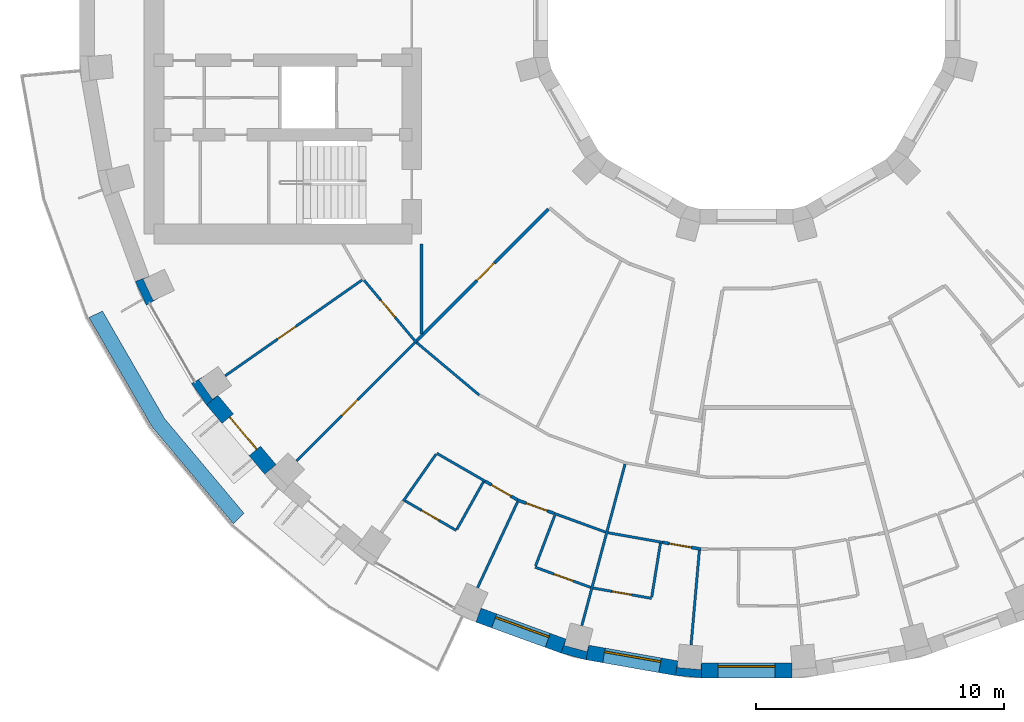
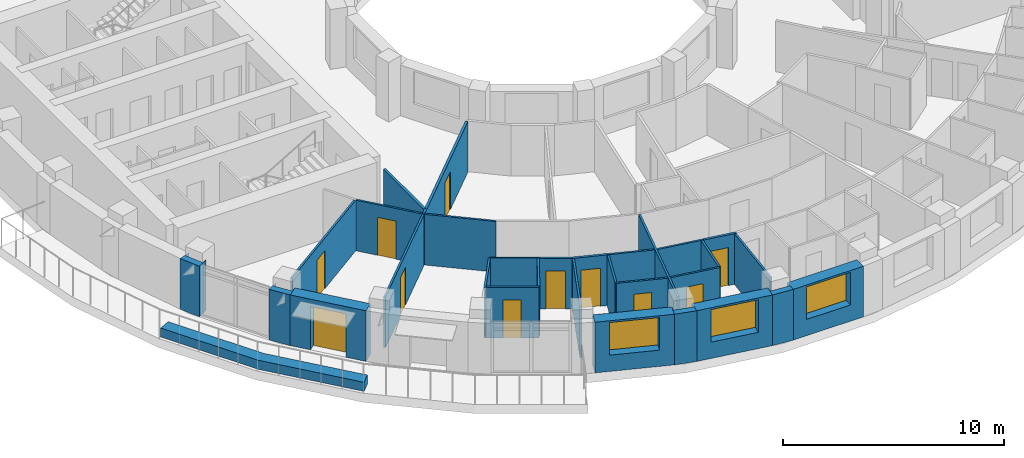
# One storey, part 4 of 16: 31 walls, 11 doors, 3 windows, 14 openings.
"""IFC4 building model written with IfcOpenShell, lengths in metres."""

from ifc_helpers import new_model, si_unit, direction, frame, frame_2d, origin, place, context, subcontext, project, spatial, polyline, rectangle, outline, extrude, material, layer, layer_set, type_object, element, fill, save


model = new_model("IFC4")

# Units and contexts
model_context = context("Model", 3, precision=1e-05, world=origin(), true_north=direction((0.0, 1.0)))
body_context = subcontext(model_context, "Body", "Model", "MODEL_VIEW")
ifc_project = project(units=[si_unit("LENGTHUNIT", "METRE"), si_unit("AREAUNIT", "SQUARE_METRE"), si_unit("VOLUMEUNIT", "CUBIC_METRE"), si_unit("PLANEANGLEUNIT", "RADIAN"), si_unit("MASSUNIT", "GRAM", prefix="KILO")], contexts=[model_context])

# Site, building, storey
site_placement = place(None, origin())
site = spatial("IfcSite", under=ifc_project, at=site_placement, CompositionType="ELEMENT")
building_placement = place(site_placement, origin())
building = spatial("IfcBuilding", under=site, at=building_placement, Name="Saqina Gate Tower", CompositionType="ELEMENT")
storey_placement = place(building_placement, frame((0.0, 0.0, 121.60009765625)))
storey = spatial("IfcBuildingStorey", under=building, at=storey_placement, Name="L34", CompositionType="ELEMENT", Elevation=121.60009765625)

# Walls
ifc_material_1 = material(Name="Brick masonry (buff)", Category="masonry")
wall_type_1 = type_object("IfcWallType", Name="BRICK PIER COPING BUFF", PredefinedType="SOLIDWALL", material=ifc_material_1)
wall_1_placement = place(storey_placement, origin())
element("IfcWall", 1, at=wall_1_placement, inside=storey, type_object=wall_type_1, Name="Pier cap L34 column 21", PredefinedType="SOLIDWALL", context=body_context, shape_type="SweptSolid", body=[
    extrude(outline(polyline([(-24.6513671875, -10.913330078125), (-24.205810546875, -11.869140625), (-23.68603515625, -11.569091796875), (-23.9296875, -11.6826171875), (-24.331298828125, -10.82177734375), (-24.08740234375, -10.7080078125), (-24.6513671875, -10.913330078125)])), origin(), (0.0, 0.0, 1.0), 2.7998046875),
])
wall_2_placement = place(storey_placement, origin())
element("IfcWall", 2, at=wall_2_placement, inside=storey, type_object=wall_type_1, Name="Pier cap L34 column 22", PredefinedType="SOLIDWALL", context=body_context, shape_type="SweptSolid", body=[
    extrude(outline(polyline([(-21.77685546875, -15.89208984375), (-21.317138671875, -15.50634765625), (-21.53759765625, -15.66064453125), (-22.08251953125, -14.88232421875), (-21.862060546875, -14.728271484375), (-22.3818359375, -15.0283203125), (-21.77685546875, -15.89208984375)])), origin(), (0.0, 0.0, 1.0), 2.7998046875),
])
wall_3_placement = place(storey_placement, origin())
element("IfcWall", 3, at=wall_3_placement, inside=storey, type_object=wall_type_1, Name="Pier cap L34 column 26", PredefinedType="SOLIDWALL", context=body_context, shape_type="SweptSolid", body=[
    extrude(outline(polyline([(-7.485595703125, -25.89892578125), (-6.466796875, -26.171875), (-6.36279296875, -25.5810546875), (-6.43212890625, -25.8408203125), (-7.349853515625, -25.5947265625), (-7.2802734375, -25.335205078125), (-7.485595703125, -25.89892578125)])), origin(), (0.0, 0.0, 1.0), 2.7998046875),
])
wall_4_placement = place(storey_placement, origin())
element("IfcWall", 4, at=wall_4_placement, inside=storey, type_object=wall_type_1, Name="Pier cap L34 column 27", PredefinedType="SOLIDWALL", context=body_context, shape_type="SweptSolid", body=[
    extrude(outline(polyline([(-2.87451171875, -26.805419921875), (-1.823974609375, -26.897216796875), (-1.823974609375, -26.29736328125), (-1.847412109375, -26.565185546875), (-2.793701171875, -26.482421875), (-2.770263671875, -26.214599609375), (-2.87451171875, -26.805419921875)])), origin(), (0.0, 0.0, 1.0), 2.7998046875),
])

# Wall, opening, door
ifc_material_2 = material(Name="Brick masonry (buff)", Category="masonry")
ifc_layer_1 = layer(ifc_material_2, 0.60009765625)
ifc_layer_set_1 = layer_set([ifc_layer_1], Name="FW-BRICK-BUFF")
wall_type_2 = type_object("IfcWallType", Name="FW-BRICK-BUFF", PredefinedType="SOLIDWALL", material=ifc_layer_set_1)
wall_5_placement = place(storey_placement, frame((-21.547119140625, -15.69921875, 0.0), z_axis=(0.0, 0.0, 1.0), x_axis=(0.642774476932, -0.766055462616, 0.0)))
wall_5 = element("IfcWall", 5, at=wall_5_placement, inside=storey, type_object=wall_type_2, Name="Facade wall L34 facet 22", PredefinedType="SOLIDWALL", context=body_context, shape_type="SweptSolid", body=[
    extrude(rectangle(XDim=3.647705078125, YDim=0.60009765625, at=frame_2d((1.82373046875, 0.0))), origin(), (0.0, 0.0, 1.0), 2.7998046875),
])
opening_1_placement = place(wall_5_placement, frame((0.973876953125, 0.0, 0.0)))
opening_1 = element("IfcOpeningElement", 6, at=opening_1_placement, cuts=wall_5, Name="Opening G10-D80", PredefinedType="OPENING", context=body_context, shape_type="SweptSolid", body=[
    extrude(rectangle(XDim=1.699951171875, YDim=2.39990234375, at=frame_2d((0.85009765625, 1.199951171875))), frame((0.0, 0.31201171875, 0.0), z_axis=(0.0, -1.0, 0.0), x_axis=(1.0, 0.0, 0.0)), (0.0, 0.0, 1.0), 0.6240234375),
])
ifc_material_3 = material(Name="Aluminium glazing", Category="aluminium")
door_type_1 = type_object("IfcDoorType", Name="GD-B", OperationType="DOUBLE_DOOR_SINGLE_SWING", PredefinedType="DOOR", material=ifc_material_3)
door_1_placement = place(opening_1_placement, frame((1.699951171875, 0.0, 0.0), z_axis=(0.0, 0.0, 1.0), x_axis=(-1.0, 0.0, 0.0)))
door_1 = element("IfcDoor", 7, at=door_1_placement, inside=storey, type_object=door_type_1, Name="Terrace door L34 facet 22", OperationType="DOUBLE_DOOR_SINGLE_SWING", OverallHeight=2.39990234375, OverallWidth=1.699951171875, PredefinedType="DOOR", context=body_context, shape_type="SweptSolid", body=[
    extrude(rectangle(XDim=1.699951171875, YDim=2.39990234375, at=frame_2d((0.85009765625, 1.199951171875))), frame((0.0, -0.0751953125, 0.0), z_axis=(0.0, -1.0, 0.0), x_axis=(1.0, 0.0, 0.0)), (0.0, 0.0, 1.0), 0.050048828125),
])
fill(opening_1, door_1)

# Wall, opening, window
wall_6_placement = place(storey_placement, frame((-10.810791015625, -24.369384765625, 0.0), z_axis=(0.0, 0.0, 1.0), x_axis=(0.939703505393, -0.341990236633, 0.0)))
wall_6 = element("IfcWall", 8, at=wall_6_placement, inside=storey, type_object=wall_type_2, Name="Facade wall L34 facet 25", PredefinedType="SOLIDWALL", context=body_context, shape_type="SweptSolid", body=[
    extrude(rectangle(XDim=3.64794921875, YDim=0.60009765625, at=frame_2d((1.823974609375, 0.0))), origin(), (0.0, 0.0, 1.0), 2.7998046875),
])
opening_2_placement = place(wall_6_placement, frame((0.673828125, 0.0, 0.89990234375)))
opening_2 = element("IfcOpeningElement", 9, at=opening_2_placement, cuts=wall_6, Name="Opening G10-W14", PredefinedType="OPENING", context=body_context, shape_type="SweptSolid", body=[
    extrude(rectangle(XDim=2.300048828125, YDim=1.800048828125, at=frame_2d((1.14990234375, 0.89990234375))), frame((0.0, 0.31201171875, 0.0), z_axis=(0.0, -1.0, 0.0), x_axis=(1.0, 0.0, 0.0)), (0.0, 0.0, 1.0), 0.6240234375),
])
ifc_material_4 = material(Name="Aluminium glazing", Category="aluminium")
window_type = type_object("IfcWindowType", Name="WN-B", PartitioningType="SINGLE_PANEL", PredefinedType="WINDOW", material=ifc_material_4)
window_1_placement = place(opening_2_placement, origin())
window_1 = element("IfcWindow", 10, at=window_1_placement, inside=storey, type_object=window_type, Name="Window L34 facet 25", OverallHeight=1.800048828125, OverallWidth=2.300048828125, PartitioningType="SINGLE_PANEL", PredefinedType="WINDOW", context=body_context, shape_type="SweptSolid", body=[
    extrude(rectangle(XDim=2.300048828125, YDim=1.800048828125, at=frame_2d((1.14990234375, 0.89990234375))), frame((0.0, 0.179931640625, 0.0), z_axis=(0.0, -1.0, 0.0), x_axis=(1.0, 0.0, 0.0)), (0.0, 0.0, 1.0), 0.06005859375),
])
fill(opening_2, window_1)

wall_7_placement = place(storey_placement, frame((-6.414794921875, -25.87646484375, 0.0), z_axis=(0.0, 0.0, 1.0), x_axis=(0.984803764455, -0.173670796382, 0.0)))
wall_7 = element("IfcWall", 11, at=wall_7_placement, inside=storey, type_object=wall_type_2, Name="Facade wall L34 facet 26", PredefinedType="SOLIDWALL", context=body_context, shape_type="SweptSolid", body=[
    extrude(rectangle(XDim=3.64794921875, YDim=0.60009765625, at=frame_2d((1.823974609375, 0.0))), origin(), (0.0, 0.0, 1.0), 2.7998046875),
])
opening_3_placement = place(wall_7_placement, frame((0.673828125, 0.0, 0.89990234375)))
opening_3 = element("IfcOpeningElement", 12, at=opening_3_placement, cuts=wall_7, Name="Opening G10-W15", PredefinedType="OPENING", context=body_context, shape_type="SweptSolid", body=[
    extrude(rectangle(XDim=2.300048828125, YDim=1.800048828125, at=frame_2d((1.14990234375, 0.89990234375))), frame((0.0, 0.31201171875, 0.0), z_axis=(0.0, -1.0, 0.0), x_axis=(1.0, 0.0, 0.0)), (0.0, 0.0, 1.0), 0.6240234375),
])
window_2_placement = place(opening_3_placement, origin())
window_2 = element("IfcWindow", 13, at=window_2_placement, inside=storey, type_object=window_type, Name="Window L34 facet 26", OverallHeight=1.800048828125, OverallWidth=2.300048828125, PartitioningType="SINGLE_PANEL", PredefinedType="WINDOW", context=body_context, shape_type="SweptSolid", body=[
    extrude(rectangle(XDim=2.300048828125, YDim=1.800048828125, at=frame_2d((1.14990234375, 0.89990234375))), frame((0.0, 0.179931640625, 0.0), z_axis=(0.0, -1.0, 0.0), x_axis=(1.0, 0.0, 0.0)), (0.0, 0.0, 1.0), 0.06005859375),
])
fill(opening_3, window_2)

wall_8_placement = place(storey_placement, frame((-1.823974609375, -26.59716796875, 0.0), z_axis=(0.0, 0.0, 1.0), x_axis=(1.0, 0.0, 0.0)))
wall_8 = element("IfcWall", 14, at=wall_8_placement, inside=storey, type_object=wall_type_2, Name="Facade wall L34 facet 27", PredefinedType="SOLIDWALL", context=body_context, shape_type="SweptSolid", body=[
    extrude(rectangle(XDim=3.64794921875, YDim=0.60009765625, at=frame_2d((1.823974609375, 0.0))), origin(), (0.0, 0.0, 1.0), 2.7998046875),
])
opening_4_placement = place(wall_8_placement, frame((0.673828125, 0.0, 0.89990234375)))
opening_4 = element("IfcOpeningElement", 15, at=opening_4_placement, cuts=wall_8, Name="Opening G10-W16", PredefinedType="OPENING", context=body_context, shape_type="SweptSolid", body=[
    extrude(rectangle(XDim=2.300048828125, YDim=1.800048828125, at=frame_2d((1.14990234375, 0.89990234375))), frame((0.0, 0.31201171875, 0.0), z_axis=(0.0, -1.0, 0.0), x_axis=(1.0, 0.0, 0.0)), (0.0, 0.0, 1.0), 0.6240234375),
])
window_3_placement = place(opening_4_placement, origin())
window_3 = element("IfcWindow", 16, at=window_3_placement, inside=storey, type_object=window_type, Name="Window L34 facet 27", OverallHeight=1.800048828125, OverallWidth=2.300048828125, PartitioningType="SINGLE_PANEL", PredefinedType="WINDOW", context=body_context, shape_type="SweptSolid", body=[
    extrude(rectangle(XDim=2.300048828125, YDim=1.800048828125, at=frame_2d((1.14990234375, 0.89990234375))), frame((0.0, 0.179931640625, 0.0), z_axis=(0.0, -1.0, 0.0), x_axis=(1.0, 0.0, 0.0)), (0.0, 0.0, 1.0), 0.06005859375),
])
fill(opening_4, window_3)

# Wall, opening, door
ifc_material_5 = material(Name="Gypsum board on steel studs, 100 mm", Category="steel")
ifc_layer_2 = layer(ifc_material_5, 0.10009765625)
ifc_layer_set_2 = layer_set([ifc_layer_2], Name="PARTITION 100")
wall_type_3 = type_object("IfcWallType", Name="PARTITION 100", PredefinedType="PARTITIONING", material=ifc_layer_set_2)
wall_9_placement = place(storey_placement, frame((-15.42578125, -10.8623046875, 0.0), z_axis=(0.0, 0.0, 1.0), x_axis=(0.642706409745, -0.766112570627, 0.0)))
wall_9 = element("IfcWall", 17, at=wall_9_placement, inside=storey, type_object=wall_type_3, Name="PARTITION PW3-21", PredefinedType="PARTITIONING", context=body_context, shape_type="SweptSolid", body=[
    extrude(rectangle(XDim=3.2900390625, YDim=0.10009765625, at=frame_2d((1.64501953125, 0.0))), origin(), (0.0, 0.0, 1.0), 2.7998046875),
])
opening_5_placement = place(wall_9_placement, frame((1.044677734375, 0.0, 0.0)))
opening_5 = element("IfcOpeningElement", 18, at=opening_5_placement, cuts=wall_9, Name="Opening G10-D30", PredefinedType="OPENING", context=body_context, shape_type="SweptSolid", body=[
    extrude(rectangle(XDim=0.89990234375, YDim=2.10009765625, at=frame_2d((0.449951171875, 1.050048828125))), frame((0.0, 0.06201171875, 0.0), z_axis=(0.0, -1.0, 0.0), x_axis=(1.0, 0.0, 0.0)), (0.0, 0.0, 1.0), 0.1240234375),
])
ifc_material_6 = material(Name="Timber door leaf, 900 mm", Category="wood")
door_type_2 = type_object("IfcDoorType", Name="DOOR 900 TIMBER", OperationType="SINGLE_SWING_LEFT", PredefinedType="DOOR", material=ifc_material_6)
door_2_placement = place(opening_5_placement, origin())
door_2 = element("IfcDoor", 19, at=door_2_placement, inside=storey, type_object=door_type_2, Name="DOOR G10-D30", OperationType="SINGLE_SWING_RIGHT", OverallHeight=2.10009765625, OverallWidth=0.89990234375, PredefinedType="DOOR", context=body_context, shape_type="SweptSolid", body=[
    extrude(rectangle(XDim=0.89990234375, YDim=2.10009765625, at=frame_2d((0.449951171875, 1.050048828125))), frame((0.0, 0.02490234375, 0.0), z_axis=(0.0, -1.0, 0.0), x_axis=(1.0, 0.0, 0.0)), (0.0, 0.0, 1.0), 0.050048828125),
])
fill(opening_5, door_2)

# Wall
wall_10_placement = place(storey_placement, frame((-13.3056640625, -13.376220703125, 0.0), z_axis=(0.0, 0.0, 1.0), x_axis=(0.766112570627, -0.642706409745, 0.0)))
element("IfcWall", 20, at=wall_10_placement, inside=storey, type_object=wall_type_3, Name="PARTITION PW3-28", PredefinedType="PARTITIONING", context=body_context, shape_type="SweptSolid", body=[
    extrude(rectangle(XDim=3.2900390625, YDim=0.10009765625, at=frame_2d((1.64501953125, 0.0))), origin(), (0.0, 0.0, 1.0), 2.7998046875),
])

# Wall, opening, door
wall_11_placement = place(storey_placement, frame((-13.771728515625, -19.758056640625, 0.0), z_axis=(0.0, 0.0, 1.0), x_axis=(0.865904457458, -0.500209426695, 0.0)))
wall_11 = element("IfcWall", 21, at=wall_11_placement, inside=storey, type_object=wall_type_3, Name="PARTITION PW3-32", PredefinedType="PARTITIONING", context=body_context, shape_type="SweptSolid", body=[
    extrude(rectangle(XDim=2.38671875, YDim=0.10009765625, at=frame_2d((1.193359375, 0.0))), origin(), (0.0, 0.0, 1.0), 2.7998046875),
])
opening_6_placement = place(wall_11_placement, frame((0.767333984375, 0.0, 0.0)))
opening_6 = element("IfcOpeningElement", 22, at=opening_6_placement, cuts=wall_11, Name="Opening G10-D33", PredefinedType="OPENING", context=body_context, shape_type="SweptSolid", body=[
    extrude(rectangle(XDim=0.800048828125, YDim=2.10009765625, at=frame_2d((0.39990234375, 1.050048828125))), frame((0.0, 0.06201171875, 0.0), z_axis=(0.0, -1.0, 0.0), x_axis=(1.0, 0.0, 0.0)), (0.0, 0.0, 1.0), 0.1240234375),
])
ifc_material_7 = material(Name="Timber door leaf, 800 mm", Category="wood")
door_type_3 = type_object("IfcDoorType", Name="DOOR 800 TIMBER", OperationType="SINGLE_SWING_LEFT", PredefinedType="DOOR", material=ifc_material_7)
door_3_placement = place(opening_6_placement, frame((0.800048828125, 0.0, 0.0), z_axis=(0.0, 0.0, 1.0), x_axis=(-1.0, 0.0, 0.0)))
door_3 = element("IfcDoor", 23, at=door_3_placement, inside=storey, type_object=door_type_3, Name="DOOR G10-D33", OperationType="SINGLE_SWING_RIGHT", OverallHeight=2.10009765625, OverallWidth=0.800048828125, PredefinedType="DOOR", context=body_context, shape_type="SweptSolid", body=[
    extrude(rectangle(XDim=0.800048828125, YDim=2.10009765625, at=frame_2d((0.39990234375, 1.050048828125))), frame((0.0, 0.02490234375, 0.0), z_axis=(0.0, -1.0, 0.0), x_axis=(1.0, 0.0, 0.0)), (0.0, 0.0, 1.0), 0.050048828125),
])
fill(opening_6, door_3)

# Wall
wall_12_placement = place(storey_placement, frame((-12.489501953125, -17.843017578125, 0.0), z_axis=(0.0, 0.0, 1.0), x_axis=(0.865965261283, -0.500104155402, 0.0)))
element("IfcWall", 24, at=wall_12_placement, inside=storey, type_object=wall_type_3, Name="PARTITION PW3-33", PredefinedType="PARTITIONING", context=body_context, shape_type="SweptSolid", body=[
    extrude(rectangle(XDim=2.25146484375, YDim=0.10009765625, at=frame_2d((1.125732421875, 0.0))), origin(), (0.0, 0.0, 1.0), 2.7998046875),
])

# Wall, opening, door
wall_13_placement = place(storey_placement, frame((-8.52587890625, -22.43408203125, 0.0), z_axis=(0.0, 0.0, 1.0), x_axis=(0.939667988297, -0.342087812952, 0.0)))
wall_13 = element("IfcWall", 25, at=wall_13_placement, inside=storey, type_object=wall_type_3, Name="PARTITION PW3-40", PredefinedType="PARTITIONING", context=body_context, shape_type="SweptSolid", body=[
    extrude(rectangle(XDim=2.387939453125, YDim=0.10009765625, at=frame_2d((1.19384765625, 0.0))), origin(), (0.0, 0.0, 1.0), 2.7998046875),
])
opening_7_placement = place(wall_13_placement, frame((0.819091796875, 0.0, 0.0)))
opening_7 = element("IfcOpeningElement", 26, at=opening_7_placement, cuts=wall_13, Name="Opening G10-D37", PredefinedType="OPENING", context=body_context, shape_type="SweptSolid", body=[
    extrude(rectangle(XDim=0.800048828125, YDim=2.10009765625, at=frame_2d((0.39990234375, 1.050048828125))), frame((0.0, 0.06201171875, 0.0), z_axis=(0.0, -1.0, 0.0), x_axis=(1.0, 0.0, 0.0)), (0.0, 0.0, 1.0), 0.1240234375),
])
door_4_placement = place(opening_7_placement, frame((0.800048828125, 0.0, 0.0), z_axis=(0.0, 0.0, 1.0), x_axis=(-1.0, 0.0, 0.0)))
door_4 = element("IfcDoor", 27, at=door_4_placement, inside=storey, type_object=door_type_3, Name="DOOR G10-D37", OperationType="SINGLE_SWING_LEFT", OverallHeight=2.10009765625, OverallWidth=0.800048828125, PredefinedType="DOOR", context=body_context, shape_type="SweptSolid", body=[
    extrude(rectangle(XDim=0.800048828125, YDim=2.10009765625, at=frame_2d((0.39990234375, 1.050048828125))), frame((0.0, 0.02490234375, 0.0), z_axis=(0.0, -1.0, 0.0), x_axis=(1.0, 0.0, 0.0)), (0.0, 0.0, 1.0), 0.050048828125),
])
fill(opening_7, door_4)

# Wall
wall_14_placement = place(storey_placement, frame((-7.756103515625, -20.26708984375, 0.0), z_axis=(0.0, 0.0, 1.0), x_axis=(0.939728749343, -0.341920864613, 0.0)))
element("IfcWall", 28, at=wall_14_placement, inside=storey, type_object=wall_type_3, Name="PARTITION PW3-41", PredefinedType="PARTITIONING", context=body_context, shape_type="SweptSolid", body=[
    extrude(rectangle(XDim=2.204833984375, YDim=0.10009765625, at=frame_2d((1.1025390625, 0.0))), origin(), (0.0, 0.0, 1.0), 2.7998046875),
])

# Wall, opening, door
wall_15_placement = place(storey_placement, frame((-6.185791015625, -23.276611328125, 0.0), z_axis=(0.0, 0.0, 1.0), x_axis=(0.98477738582, -0.173820310603, 0.0)))
wall_15 = element("IfcWall", 29, at=wall_15_placement, inside=storey, type_object=wall_type_3, Name="PARTITION PW3-45", PredefinedType="PARTITIONING", context=body_context, shape_type="SweptSolid", body=[
    extrude(rectangle(XDim=2.38916015625, YDim=0.10009765625, at=frame_2d((1.194580078125, 0.0))), origin(), (0.0, 0.0, 1.0), 2.7998046875),
])
opening_8_placement = place(wall_15_placement, frame((0.76953125, 0.0, 0.0)))
opening_8 = element("IfcOpeningElement", 30, at=opening_8_placement, cuts=wall_15, Name="Opening G10-D38", PredefinedType="OPENING", context=body_context, shape_type="SweptSolid", body=[
    extrude(rectangle(XDim=0.800048828125, YDim=2.10009765625, at=frame_2d((0.39990234375, 1.050048828125))), frame((0.0, 0.06201171875, 0.0), z_axis=(0.0, -1.0, 0.0), x_axis=(1.0, 0.0, 0.0)), (0.0, 0.0, 1.0), 0.1240234375),
])
door_5_placement = place(opening_8_placement, frame((0.800048828125, 0.0, 0.0), z_axis=(0.0, 0.0, 1.0), x_axis=(-1.0, 0.0, 0.0)))
door_5 = element("IfcDoor", 31, at=door_5_placement, inside=storey, type_object=door_type_3, Name="DOOR G10-D38", OperationType="SINGLE_SWING_RIGHT", OverallHeight=2.10009765625, OverallWidth=0.800048828125, PredefinedType="DOOR", context=body_context, shape_type="SweptSolid", body=[
    extrude(rectangle(XDim=0.800048828125, YDim=2.10009765625, at=frame_2d((0.39990234375, 1.050048828125))), frame((0.0, 0.02490234375, 0.0), z_axis=(0.0, -1.0, 0.0), x_axis=(1.0, 0.0, 0.0)), (0.0, 0.0, 1.0), 0.050048828125),
])
fill(opening_8, door_5)

# Wall
wall_16_placement = place(storey_placement, frame((-5.587646484375, -21.046630859375, 0.0), z_axis=(0.0, 0.0, 1.0), x_axis=(0.984792363165, -0.173735435225, 0.0)))
element("IfcWall", 32, at=wall_16_placement, inside=storey, type_object=wall_type_3, Name="PARTITION PW3-46", PredefinedType="PARTITIONING", context=body_context, shape_type="SweptSolid", body=[
    extrude(rectangle(XDim=2.23291015625, YDim=0.10009765625, at=frame_2d((1.116455078125, 0.0))), origin(), (0.0, 0.0, 1.0), 2.7998046875),
])

# Wall, opening, door
wall_17_placement = place(storey_placement, frame((-21.02392578125, -14.720458984375, 0.0), z_axis=(0.0, 0.0, 1.0), x_axis=(0.819214913262, 0.573486639678, 0.0)))
wall_17 = element("IfcWall", 33, at=wall_17_placement, inside=storey, type_object=wall_type_3, Name="PARTITION PW3-76", PredefinedType="PARTITIONING", context=body_context, shape_type="SweptSolid", body=[
    extrude(rectangle(XDim=6.744140625, YDim=0.10009765625, at=frame_2d((3.3720703125, 0.0))), origin(), (0.0, 0.0, 1.0), 2.7998046875),
])
opening_9_placement = place(wall_17_placement, frame((2.57958984375, 0.0, 0.0)))
opening_9 = element("IfcOpeningElement", 34, at=opening_9_placement, cuts=wall_17, Name="Opening G10-D29", PredefinedType="OPENING", context=body_context, shape_type="SweptSolid", body=[
    extrude(rectangle(XDim=0.89990234375, YDim=2.10009765625, at=frame_2d((0.449951171875, 1.050048828125))), frame((0.0, 0.06201171875, 0.0), z_axis=(0.0, -1.0, 0.0), x_axis=(1.0, 0.0, 0.0)), (0.0, 0.0, 1.0), 0.1240234375),
])
door_6_placement = place(opening_9_placement, origin())
door_6 = element("IfcDoor", 35, at=door_6_placement, inside=storey, type_object=door_type_2, Name="DOOR G10-D29", OperationType="SINGLE_SWING_LEFT", OverallHeight=2.10009765625, OverallWidth=0.89990234375, PredefinedType="DOOR", context=body_context, shape_type="SweptSolid", body=[
    extrude(rectangle(XDim=0.89990234375, YDim=2.10009765625, at=frame_2d((0.449951171875, 1.050048828125))), frame((0.0, 0.02490234375, 0.0), z_axis=(0.0, -1.0, 0.0), x_axis=(1.0, 0.0, 0.0)), (0.0, 0.0, 1.0), 0.050048828125),
])
fill(opening_9, door_6)

wall_18_placement = place(storey_placement, frame((-18.14794921875, -18.14794921875, 0.0), z_axis=(0.0, 0.0, 1.0), x_axis=(0.707106781187, 0.707106781187, 0.0)))
wall_18 = element("IfcWall", 36, at=wall_18_placement, inside=storey, type_object=wall_type_3, Name="PARTITION PW3-82", PredefinedType="PARTITIONING", context=body_context, shape_type="SweptSolid", body=[
    extrude(rectangle(XDim=6.74365234375, YDim=0.10009765625, at=frame_2d((3.371826171875, 0.0))), origin(), (0.0, 0.0, 1.0), 2.7998046875),
])
opening_10_placement = place(wall_18_placement, frame((2.579833984375, 0.0, 0.0)))
opening_10 = element("IfcOpeningElement", 37, at=opening_10_placement, cuts=wall_18, Name="Opening G10-D32", PredefinedType="OPENING", context=body_context, shape_type="SweptSolid", body=[
    extrude(rectangle(XDim=0.89990234375, YDim=2.10009765625, at=frame_2d((0.449951171875, 1.050048828125))), frame((0.0, 0.06201171875, 0.0), z_axis=(0.0, -1.0, 0.0), x_axis=(1.0, 0.0, 0.0)), (0.0, 0.0, 1.0), 0.1240234375),
])
door_7_placement = place(opening_10_placement, frame((0.89990234375, 0.0, 0.0), z_axis=(0.0, 0.0, 1.0), x_axis=(-1.0, 0.0, 0.0)))
door_7 = element("IfcDoor", 38, at=door_7_placement, inside=storey, type_object=door_type_2, Name="DOOR G10-D32", OperationType="SINGLE_SWING_RIGHT", OverallHeight=2.10009765625, OverallWidth=0.89990234375, PredefinedType="DOOR", context=body_context, shape_type="SweptSolid", body=[
    extrude(rectangle(XDim=0.89990234375, YDim=2.10009765625, at=frame_2d((0.449951171875, 1.050048828125))), frame((0.0, 0.02490234375, 0.0), z_axis=(0.0, -1.0, 0.0), x_axis=(1.0, 0.0, 0.0)), (0.0, 0.0, 1.0), 0.050048828125),
])
fill(opening_10, door_7)

# Walls
wall_19_placement = place(storey_placement, frame((-13.845458984375, -19.772705078125, 0.0), z_axis=(0.0, 0.0, 1.0), x_axis=(0.573426847585, 0.819256767118, 0.0)))
element("IfcWall", 39, at=wall_19_placement, inside=storey, type_object=wall_type_3, Name="PARTITION PW3-90", PredefinedType="PARTITIONING", context=body_context, shape_type="SweptSolid", body=[
    extrude(rectangle(XDim=2.30810546875, YDim=0.10009765625, at=frame_2d((1.154052734375, 0.0))), origin(), (0.0, 0.0, 1.0), 2.7998046875),
])
wall_20_placement = place(storey_placement, frame((-11.6806640625, -20.908447265625, 0.0), z_axis=(0.0, 0.0, 1.0), x_axis=(0.487751726738, 0.872982389894, 0.0)))
element("IfcWall", 40, at=wall_20_placement, inside=storey, type_object=wall_type_3, Name="PARTITION PW3-94", PredefinedType="PARTITIONING", context=body_context, shape_type="SweptSolid", body=[
    extrude(rectangle(XDim=2.200439453125, YDim=0.10009765625, at=frame_2d((1.10009765625, 0.0))), origin(), (0.0, 0.0, 1.0), 2.7998046875),
])
wall_21_placement = place(storey_placement, frame((-10.846435546875, -23.26025390625, 0.0), z_axis=(0.0, 0.0, 1.0), x_axis=(0.422591670658, 0.906320186187, 0.0)))
element("IfcWall", 41, at=wall_21_placement, inside=storey, type_object=wall_type_3, Name="PARTITION PW3-97", PredefinedType="PARTITIONING", context=body_context, shape_type="SweptSolid", body=[
    extrude(rectangle(XDim=3.821533203125, YDim=0.10009765625, at=frame_2d((1.91064453125, 0.0))), origin(), (0.0, 0.0, 1.0), 2.7998046875),
])
wall_22_placement = place(storey_placement, frame((-8.50830078125, -22.38720703125, 0.0), z_axis=(0.0, 0.0, 1.0), x_axis=(0.355303594793, 0.934750959094, 0.0)))
element("IfcWall", 42, at=wall_22_placement, inside=storey, type_object=wall_type_3, Name="PARTITION PW3-99", PredefinedType="PARTITIONING", context=body_context, shape_type="SweptSolid", body=[
    extrude(rectangle(XDim=2.187255859375, YDim=0.10009765625, at=frame_2d((1.09375, 0.0))), origin(), (0.0, 0.0, 1.0), 2.7998046875),
])
wall_23_placement = place(storey_placement, frame((-6.642578125, -24.79052734375, 0.0), z_axis=(0.0, 0.0, 1.0), x_axis=(0.258550301946, 0.965997795734, 0.0)))
element("IfcWall", 43, at=wall_23_placement, inside=storey, type_object=wall_type_3, Name="PARTITION PW3-101", PredefinedType="PARTITIONING", context=body_context, shape_type="SweptSolid", body=[
    extrude(rectangle(XDim=6.743896484375, YDim=0.10009765625, at=frame_2d((3.3720703125, 0.0))), origin(), (0.0, 0.0, 1.0), 2.7998046875),
])
wall_24_placement = place(storey_placement, frame((-3.824951171875, -23.642578125, 0.0), z_axis=(0.0, 0.0, 1.0), x_axis=(0.159556862709, 0.987188739585, 0.0)))
element("IfcWall", 44, at=wall_24_placement, inside=storey, type_object=wall_type_3, Name="PARTITION PW3-104", PredefinedType="PARTITIONING", context=body_context, shape_type="SweptSolid", body=[
    extrude(rectangle(XDim=2.2001953125, YDim=0.10009765625, at=frame_2d((1.10009765625, 0.0))), origin(), (0.0, 0.0, 1.0), 2.7998046875),
])
wall_25_placement = place(storey_placement, frame((-2.237060546875, -25.5673828125, 0.0), z_axis=(0.0, 0.0, 1.0), x_axis=(0.087368181188, 0.996176089311, 0.0)))
element("IfcWall", 45, at=wall_25_placement, inside=storey, type_object=wall_type_3, Name="PARTITION PW3-107", PredefinedType="PARTITIONING", context=body_context, shape_type="SweptSolid", body=[
    extrude(rectangle(XDim=3.82275390625, YDim=0.10009765625, at=frame_2d((1.911376953125, 0.0))), origin(), (0.0, 0.0, 1.0), 2.7998046875),
])

# Wall, opening, door
ifc_material_8 = material(Name="Gypsum board on steel studs, 125 mm, fire rated", Category="steel")
ifc_layer_3 = layer(ifc_material_8, 0.125)
ifc_layer_set_3 = layer_set([ifc_layer_3], Name="PARTITION EI 30 125")
wall_type_4 = type_object("IfcWallType", Name="PARTITION EI 30 125", PredefinedType="PARTITIONING", material=ifc_layer_set_3)
wall_26_placement = place(storey_placement, frame((-10.539794921875, -18.968994140625, 0.0), z_axis=(0.0, 0.0, 1.0), x_axis=(0.865896584481, -0.500223055231, 0.0)))
wall_26 = element("IfcWall", 46, at=wall_26_placement, inside=storey, type_object=wall_type_4, Name="PARTITION PW1-15", PredefinedType="PARTITIONING", context=body_context, shape_type="SweptSolid", body=[
    extrude(rectangle(XDim=1.491455078125, YDim=0.125, at=frame_2d((0.74560546875, 0.0))), origin(), (0.0, 0.0, 1.0), 2.7998046875),
])
opening_11_placement = place(wall_26_placement, frame((0.295654296875, 0.0, 0.0)))
opening_11 = element("IfcOpeningElement", 47, at=opening_11_placement, cuts=wall_26, Name="Opening G10-D34", PredefinedType="OPENING", context=body_context, shape_type="SweptSolid", body=[
    extrude(rectangle(XDim=0.89990234375, YDim=2.10009765625, at=frame_2d((0.449951171875, 1.050048828125))), frame((0.0, 0.074462890625, 0.0), z_axis=(0.0, -1.0, 0.0), x_axis=(1.0, 0.0, 0.0)), (0.0, 0.0, 1.0), 0.14892578125),
])
ifc_material_9 = material(Name="Fire door leaf EI 30, 900 mm")
door_type_4 = type_object("IfcDoorType", Name="DOOR 900 EI 30", OperationType="SINGLE_SWING_LEFT", PredefinedType="DOOR", material=ifc_material_9)
door_8_placement = place(opening_11_placement, origin())
door_8 = element("IfcDoor", 48, at=door_8_placement, inside=storey, type_object=door_type_4, Name="DOOR G10-D34", OperationType="SINGLE_SWING_RIGHT", OverallHeight=2.10009765625, OverallWidth=0.89990234375, PredefinedType="DOOR", context=body_context, shape_type="SweptSolid", body=[
    extrude(rectangle(XDim=0.89990234375, YDim=2.10009765625, at=frame_2d((0.449951171875, 1.050048828125))), frame((0.0, 0.02490234375, 0.0), z_axis=(0.0, -1.0, 0.0), x_axis=(1.0, 0.0, 0.0)), (0.0, 0.0, 1.0), 0.050048828125),
])
fill(opening_11, door_8)

wall_27_placement = place(storey_placement, frame((-9.252685546875, -19.72265625, 0.0), z_axis=(0.0, 0.0, 1.0), x_axis=(0.939797899648, -0.341730753396, 0.0)))
wall_27 = element("IfcWall", 49, at=wall_27_placement, inside=storey, type_object=wall_type_4, Name="PARTITION PW1-20", PredefinedType="PARTITIONING", context=body_context, shape_type="SweptSolid", body=[
    extrude(rectangle(XDim=1.592529296875, YDim=0.125, at=frame_2d((0.79638671875, 0.0))), origin(), (0.0, 0.0, 1.0), 2.7998046875),
])
opening_12_placement = place(wall_27_placement, frame((0.396728515625, 0.0, 0.0)))
opening_12 = element("IfcOpeningElement", 50, at=opening_12_placement, cuts=wall_27, Name="Opening G10-D36", PredefinedType="OPENING", context=body_context, shape_type="SweptSolid", body=[
    extrude(rectangle(XDim=0.89990234375, YDim=2.10009765625, at=frame_2d((0.449951171875, 1.050048828125))), frame((0.0, 0.074462890625, 0.0), z_axis=(0.0, -1.0, 0.0), x_axis=(1.0, 0.0, 0.0)), (0.0, 0.0, 1.0), 0.14892578125),
])
door_9_placement = place(opening_12_placement, origin())
door_9 = element("IfcDoor", 51, at=door_9_placement, inside=storey, type_object=door_type_4, Name="DOOR G10-D36", OperationType="SINGLE_SWING_LEFT", OverallHeight=2.10009765625, OverallWidth=0.89990234375, PredefinedType="DOOR", context=body_context, shape_type="SweptSolid", body=[
    extrude(rectangle(XDim=0.89990234375, YDim=2.10009765625, at=frame_2d((0.449951171875, 1.050048828125))), frame((0.0, 0.02490234375, 0.0), z_axis=(0.0, -1.0, 0.0), x_axis=(1.0, 0.0, 0.0)), (0.0, 0.0, 1.0), 0.050048828125),
])
fill(opening_12, door_9)

wall_28_placement = place(storey_placement, frame((-3.388671875, -21.4345703125, 0.0), z_axis=(0.0, 0.0, 1.0), x_axis=(0.984855162217, -0.173379091745, 0.0)))
wall_28 = element("IfcWall", 52, at=wall_28_placement, inside=storey, type_object=wall_type_4, Name="PARTITION PW1-24", PredefinedType="PARTITIONING", context=body_context, shape_type="SweptSolid", body=[
    extrude(rectangle(XDim=1.5771484375, YDim=0.125, at=frame_2d((0.78857421875, 0.0))), origin(), (0.0, 0.0, 1.0), 2.7998046875),
])
opening_13_placement = place(wall_28_placement, frame((0.28173828125, 0.0, 0.0)))
opening_13 = element("IfcOpeningElement", 53, at=opening_13_placement, cuts=wall_28, Name="Opening G10-D39", PredefinedType="OPENING", context=body_context, shape_type="SweptSolid", body=[
    extrude(rectangle(XDim=0.89990234375, YDim=2.10009765625, at=frame_2d((0.449951171875, 1.050048828125))), frame((0.0, 0.074462890625, 0.0), z_axis=(0.0, -1.0, 0.0), x_axis=(1.0, 0.0, 0.0)), (0.0, 0.0, 1.0), 0.14892578125),
])
door_10_placement = place(opening_13_placement, origin())
door_10 = element("IfcDoor", 54, at=door_10_placement, inside=storey, type_object=door_type_4, Name="DOOR G10-D39", OperationType="SINGLE_SWING_RIGHT", OverallHeight=2.10009765625, OverallWidth=0.89990234375, PredefinedType="DOOR", context=body_context, shape_type="SweptSolid", body=[
    extrude(rectangle(XDim=0.89990234375, YDim=2.10009765625, at=frame_2d((0.449951171875, 1.050048828125))), frame((0.0, 0.02490234375, 0.0), z_axis=(0.0, -1.0, 0.0), x_axis=(1.0, 0.0, 0.0)), (0.0, 0.0, 1.0), 0.050048828125),
])
fill(opening_13, door_10)

wall_29_placement = place(storey_placement, frame((-13.30859375, -13.30859375, 0.0), z_axis=(0.0, 0.0, 1.0), x_axis=(0.707106781187, 0.707106781187, 0.0)))
wall_29 = element("IfcWall", 55, at=wall_29_placement, inside=storey, type_object=wall_type_4, Name="PARTITION PW1-47", PredefinedType="PARTITIONING", context=body_context, shape_type="SweptSolid", body=[
    extrude(rectangle(XDim=7.515869140625, YDim=0.125, at=frame_2d((3.7578125, 0.0))), origin(), (0.0, 0.0, 1.0), 2.7998046875),
])
opening_14_placement = place(wall_29_placement, frame((3.44140625, 0.0, 0.0)))
opening_14 = element("IfcOpeningElement", 56, at=opening_14_placement, cuts=wall_29, Name="Opening G10-D31", PredefinedType="OPENING", context=body_context, shape_type="SweptSolid", body=[
    extrude(rectangle(XDim=1.0, YDim=2.10009765625, at=frame_2d((0.5, 1.050048828125))), frame((0.0, 0.074462890625, 0.0), z_axis=(0.0, -1.0, 0.0), x_axis=(1.0, 0.0, 0.0)), (0.0, 0.0, 1.0), 0.14892578125),
])
ifc_material_10 = material(Name="Fire door leaf EI 30, 1000 mm")
door_type_5 = type_object("IfcDoorType", Name="DOOR 1000 EI 30", OperationType="SINGLE_SWING_LEFT", PredefinedType="DOOR", material=ifc_material_10)
door_11_placement = place(opening_14_placement, frame((1.0, 0.0, 0.0), z_axis=(0.0, 0.0, 1.0), x_axis=(-1.0, 0.0, 0.0)))
door_11 = element("IfcDoor", 57, at=door_11_placement, inside=storey, type_object=door_type_5, Name="DOOR G10-D31", OperationType="SINGLE_SWING_LEFT", OverallHeight=2.10009765625, OverallWidth=1.0, PredefinedType="DOOR", context=body_context, shape_type="SweptSolid", body=[
    extrude(rectangle(XDim=1.0, YDim=2.10009765625, at=frame_2d((0.5, 1.050048828125))), frame((0.0, 0.02490234375, 0.0), z_axis=(0.0, -1.0, 0.0), x_axis=(1.0, 0.0, 0.0)), (0.0, 0.0, 1.0), 0.050048828125),
])
fill(opening_14, door_11)

# Walls
wall_30_placement = place(storey_placement, frame((-13.10009765625, -13.03759765625, 0.0), z_axis=(0.0, 0.0, 1.0), x_axis=(0.0, 1.0, 0.0)))
element("IfcWall", 58, at=wall_30_placement, inside=storey, type_object=wall_type_4, Name="PARTITION PW1-60", PredefinedType="PARTITIONING", context=body_context, shape_type="SweptSolid", body=[
    extrude(rectangle(XDim=3.6376953125, YDim=0.125, at=frame_2d((1.81884765625, 0.0))), origin(), (0.0, 0.0, 1.0), 2.7998046875),
])
ifc_material_11 = material(Name="Brick masonry (red)", Category="masonry")
ifc_layer_4 = layer(ifc_material_11, 0.60009765625)
ifc_layer_set_4 = layer_set([ifc_layer_4], Name="PL-PLANTER")
wall_type_5 = type_object("IfcWallType", Name="PL-PLANTER", PredefinedType="PARAPET", material=ifc_layer_set_4)
wall_31_placement = place(storey_placement, origin())
element("IfcWall", 59, at=wall_31_placement, inside=storey, type_object=wall_type_5, Name="Planter L34", PredefinedType="PARAPET", context=body_context, shape_type="SweptSolid", body=[
    extrude(outline(polyline([(-26.517333984375, -12.365234375), (-23.96728515625, -16.781982421875), (-20.68896484375, -20.68896484375), (-20.26318359375, -20.26318359375), (-23.473876953125, -16.4365234375), (-25.971435546875, -12.110595703125), (-26.517333984375, -12.365234375)])), origin(), (0.0, 0.0, 1.0), 0.5),
])

save(model, "model.ifc")
